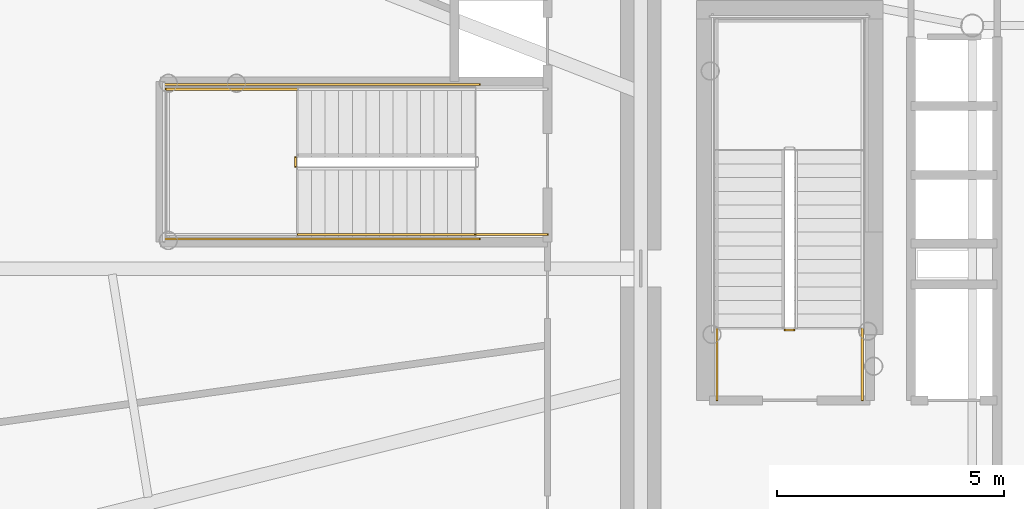
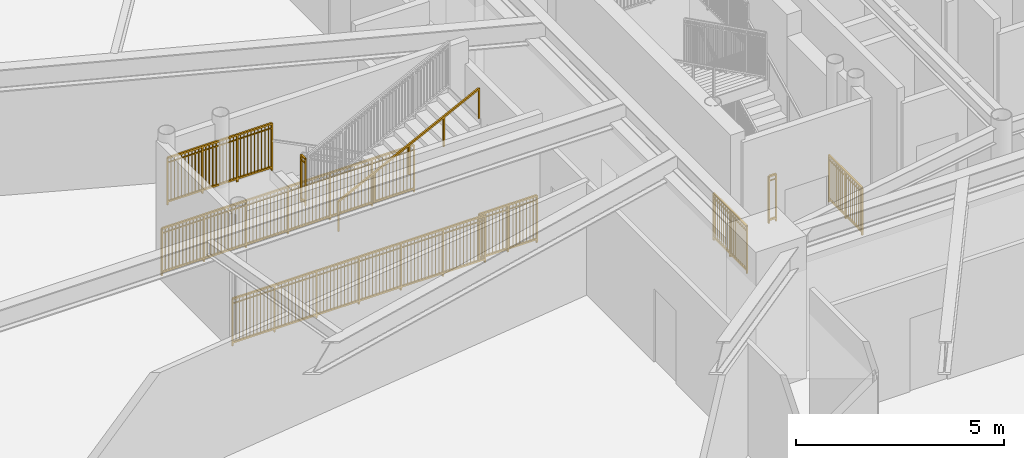
# One storey, part 22 of 32: 9 railings.
"""IFC4 building model written with IfcOpenShell, lengths in metres."""

import ifcopenshell
import ifcopenshell.guid

model = None  # the IFC model being written
_history = None  # IfcOwnerHistory: only IFC2X3 demands one
_inside = {}  # id of a spatial element -> (the spatial element, [elements in it])
_under = {}  # id of a project, library or spatial element -> (it, [spatial elements below it])
_declared = {}  # id of a project -> (the project, [libraries it declares])
_typed = {}  # id of a type object -> (the type object, [elements of that type])
_made_of = {}  # id of a material, layer set ... -> (it, [elements and type objects made of it])


def new_model(schema):
    """Start an empty IFC model of exactly this schema.

    Asked for "IFC4X3", IfcOpenShell would pick the latest addendum, in which some entities
    have other attributes; the version numbers below select the first issue.
    IFC2X3 requires an IfcOwnerHistory on every rooted entity: one is made here for all.
    """
    global model, _history
    if schema == "IFC4X3":
        model = ifcopenshell.file(schema_version=(4, 3, 0, 0))
    else:
        model = ifcopenshell.file(schema=schema)
    _inside.clear()
    _under.clear()
    _declared.clear()
    _typed.clear()
    _made_of.clear()
    _history = None
    if model.schema == "IFC2X3":
        org = make("IfcOrganization", Name="unknown")
        user = make(
            "IfcPersonAndOrganization",
            ThePerson=make("IfcPerson", FamilyName="unknown"),
            TheOrganization=org,
        )
        app = make(
            "IfcApplication",
            ApplicationDeveloper=org,
            Version="unknown",
            ApplicationFullName="unknown",
            ApplicationIdentifier="unknown",
        )
        _history = make(
            "IfcOwnerHistory",
            OwningUser=user,
            OwningApplication=app,
            ChangeAction="ADDED",
            CreationDate=0,
        )
    return model


def make(cls, **values):
    """One entity of the class cls with the attributes given. An attribute that is None is left unset."""
    return model.create_entity(
        cls, **{name: value for name, value in values.items() if value is not None}
    )


def rooted(cls, **values):
    """An entity with a GlobalId (a new one), such as an element, a storey or a relation."""
    return make(cls, GlobalId=ifcopenshell.guid.new(), OwnerHistory=_history, **values)


def si_unit(unit_type, name, prefix=None):
    """IfcSIUnit, for example si_unit("LENGTHUNIT", "METRE", prefix="MILLI")."""
    return make("IfcSIUnit", UnitType=unit_type, Prefix=prefix, Name=name)


def assignment(units):
    """IfcUnitAssignment: the units of a project."""
    return None if units is None else make("IfcUnitAssignment", Units=units)


def point(xyz):
    """IfcCartesianPoint."""
    return None if xyz is None else make("IfcCartesianPoint", Coordinates=xyz)


def direction(xyz):
    """IfcDirection."""
    return None if xyz is None else make("IfcDirection", DirectionRatios=xyz)


def frame(location, z_axis=None, x_axis=None):
    """IfcAxis2Placement3D, a coordinate frame: its origin and axes. An axis left out is left unset."""
    return make(
        "IfcAxis2Placement3D",
        Location=point(location),
        Axis=direction(z_axis),
        RefDirection=direction(x_axis),
    )


def frame_2d(location, x_axis=None):
    """IfcAxis2Placement2D, a coordinate frame in the plane: its origin and x axis."""
    return make(
        "IfcAxis2Placement2D", Location=point(location), RefDirection=direction(x_axis)
    )


def origin():
    """The frame at (0, 0, 0) with its axes left unset."""
    return frame((0.0, 0.0, 0.0))


def origin_2d():
    """The frame at (0, 0) in the plane with its x axis left unset."""
    return frame_2d((0.0, 0.0))


def place(relative_to, where):
    """IfcLocalPlacement: puts the frame where relative to a parent placement (None: the world)."""
    return make(
        "IfcLocalPlacement", PlacementRelTo=relative_to, RelativePlacement=where
    )


def context(
    kind, dimensions, precision=None, world=None, true_north=None, identifier=None
):
    """IfcGeometricRepresentationContext, for example the 3D "Model" context."""
    return make(
        "IfcGeometricRepresentationContext",
        ContextIdentifier=identifier,
        ContextType=kind,
        CoordinateSpaceDimension=dimensions,
        Precision=precision,
        WorldCoordinateSystem=world,
        TrueNorth=true_north,
    )


def subcontext(parent, identifier, kind, view, scale=None):
    """IfcGeometricRepresentationSubContext, for example "Body" below "Model"."""
    return make(
        "IfcGeometricRepresentationSubContext",
        ContextIdentifier=identifier,
        ContextType=kind,
        ParentContext=parent,
        TargetScale=scale,
        TargetView=view,
    )


def project(units=None, contexts=None):
    """IfcProject with its units and contexts."""
    return rooted(
        "IfcProject",
        Name="project",
        RepresentationContexts=contexts,
        UnitsInContext=assignment(units),
    )


def spatial(cls, under=None, at=None, **own):
    """A site, building, storey or space (cls), placed at a placement, below another one or the project."""
    s = rooted(cls, ObjectPlacement=at, **own)
    if under is not None:
        _under.setdefault(under.id(), (under, []))[1].append(s)
    return s


def profile(cls, at=None, kind="AREA", **sizes):
    """A parametric profile (cls). Its sizes go by their IFC names, for example OverallWidth=200.0."""
    return make(cls, ProfileType=kind, Position=at, **sizes)


def rectangle(**sizes):
    """IfcRectangleProfileDef."""
    return profile("IfcRectangleProfileDef", **sizes)


def extrude(swept, where, along, depth):
    """IfcExtrudedAreaSolid: the profile swept, set in the frame where, extruded along a direction by depth."""
    return make(
        "IfcExtrudedAreaSolid",
        SweptArea=swept,
        Position=where,
        ExtrudedDirection=direction(along),
        Depth=depth,
    )


def shape(context_of_items, identifier, shape_type, items):
    """IfcShapeRepresentation: the items that make up one representation, for example the "Body"."""
    return make(
        "IfcShapeRepresentation",
        ContextOfItems=context_of_items,
        RepresentationIdentifier=identifier,
        RepresentationType=shape_type,
        Items=items,
    )


def source(mapping_origin, context_of_items, identifier, shape_type, items):
    """IfcRepresentationMap: a shape defined once, which mapped items show again and again."""
    return make(
        "IfcRepresentationMap",
        MappingOrigin=mapping_origin,
        MappedRepresentation=shape(context_of_items, identifier, shape_type, items),
    )


def transform(
    local_origin,
    x_axis=None,
    y_axis=None,
    z_axis=None,
    scale=None,
    scale2=None,
    scale3=None,
    uniform=True,
):
    """IfcCartesianTransformationOperator3D, or its non-uniform kind. x_axis, y_axis, z_axis: its Axis1, 2, 3."""
    if uniform:
        return make(
            "IfcCartesianTransformationOperator3D",
            Axis1=direction(x_axis),
            Axis2=direction(y_axis),
            LocalOrigin=point(local_origin),
            Scale=scale,
            Axis3=direction(z_axis),
        )
    return make(
        "IfcCartesianTransformationOperator3DnonUniform",
        Axis1=direction(x_axis),
        Axis2=direction(y_axis),
        LocalOrigin=point(local_origin),
        Scale=scale,
        Axis3=direction(z_axis),
        Scale2=scale2,
        Scale3=scale3,
    )


def mapped(mapping_source, mapping_target):
    """IfcMappedItem: shows the shape of a source again, moved by a transform."""
    return make(
        "IfcMappedItem", MappingSource=mapping_source, MappingTarget=mapping_target
    )


def material(Name=None, Category=None):
    """IfcMaterial."""
    return make("IfcMaterial", Name=Name, Category=Category)


def made_of(thing, what):
    """Note that an element or type object is made of a material, layer set ...; save() writes the relation."""
    if what is not None:
        _made_of.setdefault(what.id(), (what, []))[1].append(thing)
    return thing


def type_object(cls, material=None, **own):
    """A type object (cls), such as IfcWallType, which elements share."""
    return made_of(rooted(cls, **own), material)


def element(
    cls,
    number,
    at=None,
    inside=None,
    cuts=None,
    type_object=None,
    material=None,
    context=None,
    identifier="Body",
    shape_type=None,
    held_by="IfcProductDefinitionShape",
    body=None,
    shapes=None,
    **own,
):
    """One element of the class cls, such as IfcWall. Its Tag is "e" and its number.

    at: its placement. inside: the storey or other place that contains it. cuts: it is an
    opening in that element (IfcRelVoidsElement). A single representation is given by context,
    identifier, shape_type and body (its items); several are given by shapes. held_by: the class
    of the entity that holds the representations. save() writes the other relations.
    """
    e = rooted(cls, Tag="e%d" % number, ObjectPlacement=at, **own)
    if body is not None:
        shapes = [shape(context, identifier, shape_type, body)]
    if shapes is not None:
        e.Representation = make(held_by, Representations=shapes)
    if inside is not None:
        _inside.setdefault(inside.id(), (inside, []))[1].append(e)
    if cuts is not None:
        rooted(
            "IfcRelVoidsElement", RelatingBuildingElement=cuts, RelatedOpeningElement=e
        )
    if type_object is not None:
        _typed.setdefault(type_object.id(), (type_object, []))[1].append(e)
    return made_of(e, material)


def aggregate(whole, parts):
    """IfcRelAggregates: a whole, such as a stair, and the parts it consists of."""
    return rooted("IfcRelAggregates", RelatingObject=whole, RelatedObjects=parts)


def save(model, path):
    """Write the relations noted so far, then the file.

    IfcRelAggregates (storeys below a building ...), IfcRelContainedInSpatialStructure (elements
    in a storey), IfcRelDefinesByType, IfcRelAssociatesMaterial and IfcRelDeclares: one each for
    every whole, place, type object, material and project.
    """
    for whole, parts in _under.values():
        aggregate(whole, parts)
    for where, things in _inside.values():
        rooted(
            "IfcRelContainedInSpatialStructure",
            RelatedElements=things,
            RelatingStructure=where,
        )
    for kind, things in _typed.values():
        rooted("IfcRelDefinesByType", RelatedObjects=things, RelatingType=kind)
    for what, things in _made_of.values():
        rooted("IfcRelAssociatesMaterial", RelatedObjects=things, RelatingMaterial=what)
    for by, libraries in _declared.values():
        rooted("IfcRelDeclares", RelatingContext=by, RelatedDefinitions=libraries)
    model.write(path)


model = new_model("IFC4")

# Units and contexts
model_context = context("Model", 3, precision=1e-05, world=origin(), true_north=direction((0.0, 1.0)))
body_context = subcontext(model_context, "Body", "Model", "MODEL_VIEW")
ifc_project = project(units=[si_unit("LENGTHUNIT", "METRE"), si_unit("AREAUNIT", "SQUARE_METRE"), si_unit("VOLUMEUNIT", "CUBIC_METRE"), si_unit("PLANEANGLEUNIT", "RADIAN"), si_unit("MASSUNIT", "GRAM", prefix="KILO")], contexts=[model_context])

# Site, building, storey
site_placement = place(None, origin())
site = spatial("IfcSite", under=ifc_project, at=site_placement, CompositionType="ELEMENT")
building_placement = place(site_placement, origin())
building = spatial("IfcBuilding", under=site, at=building_placement, Name="Linh Dai School and Residence Tower", CompositionType="ELEMENT")
storey_placement = place(building_placement, frame((0.0, 0.0, 40.800048828125)))
storey = spatial("IfcBuildingStorey", under=building, at=storey_placement, Name="L09", CompositionType="ELEMENT", Elevation=40.800048828125)

# Railings
ifc_material_1 = material(Name="Structural Steel S355JR", Category="steel")
railing_type_1 = type_object("IfcRailingType", Name="RL-ST-GUARD-1400", PredefinedType="GUARDRAIL", material=ifc_material_1)
shared_shape_1 = source(origin(), body_context, "Body", "SweptSolid", [
    extrude(rectangle(XDim=0.048095703125, YDim=0.048095703125, at=origin_2d()), frame((0.0, 0.0, 1.3759765625), z_axis=(-1.0, 0.0, 0.0), x_axis=(0.0, -1.0, 0.0)), (0.0, 0.0, 1.0), 0.199951171875),
    extrude(rectangle(XDim=0.048095703125, YDim=0.048095703125, at=origin_2d()), frame((0.0, 0.0, 0.10009765625), z_axis=(-1.0, 0.0, 0.0), x_axis=(0.0, -1.0, 0.0)), (0.0, 0.0, 1.0), 0.199951171875),
    extrude(rectangle(XDim=0.030029296875, YDim=0.030029296875, at=origin_2d()), frame((0.0, 0.0, 1.239990234375), z_axis=(-1.0, 0.0, 0.0), x_axis=(0.0, -1.0, 0.0)), (0.0, 0.0, 1.0), 0.199951171875),
    extrude(rectangle(XDim=0.0419921875, YDim=0.0419921875, at=origin_2d()), origin(), (0.0, 0.0, 1.0), 1.3759765625),
    extrude(rectangle(XDim=0.0419921875, YDim=0.0419921875, at=origin_2d()), frame((-0.199951171875, 0.0, 0.0)), (0.0, 0.0, 1.0), 1.3759765625),
])
railing_1_placement = place(storey_placement, frame((29.429931640625, 25.64990234375, 0.0)))
element("IfcRailing", 1, at=railing_1_placement, inside=storey, type_object=railing_type_1, Name="L09 ST1 stair guard 7", PredefinedType="GUARDRAIL", context=body_context, shape_type="MappedRepresentation", body=[
    mapped(shared_shape_1, transform((0.0, 0.0, 0.0), x_axis=(1.0, 0.0, 0.0), y_axis=(0.0, 1.0, 0.0), z_axis=(0.0, 0.0, 1.0), scale=1.0)),
])
shared_shape_2 = source(origin(), body_context, "Body", "SweptSolid", [
    extrude(rectangle(XDim=0.048095703125, YDim=0.048095703125, at=origin_2d()), frame((0.0, 0.0, 1.3759765625), z_axis=(0.0, 1.0, 0.0), x_axis=(-1.0, 0.0, 0.0)), (0.0, 0.0, 1.0), 1.599853515625),
    extrude(rectangle(XDim=0.048095703125, YDim=0.048095703125, at=origin_2d()), frame((0.0, 0.0, 0.10009765625), z_axis=(0.0, 1.0, 0.0), x_axis=(-1.0, 0.0, 0.0)), (0.0, 0.0, 1.0), 1.599853515625),
    extrude(rectangle(XDim=0.030029296875, YDim=0.030029296875, at=origin_2d()), frame((0.0, 0.0, 1.239990234375), z_axis=(0.0, 1.0, 0.0), x_axis=(-1.0, 0.0, 0.0)), (0.0, 0.0, 1.0), 1.599853515625),
    extrude(rectangle(XDim=0.02001953125, YDim=0.02001953125, at=origin_2d()), frame((0.0, 0.093994140625, 0.10009765625)), (0.0, 0.0, 1.0), 1.251708984375),
    extrude(rectangle(XDim=0.02001953125, YDim=0.02001953125, at=origin_2d()), frame((0.0, 0.188232421875, 0.10009765625)), (0.0, 0.0, 1.0), 1.251708984375),
    extrude(rectangle(XDim=0.02001953125, YDim=0.02001953125, at=origin_2d()), frame((0.0, 0.2822265625, 0.10009765625)), (0.0, 0.0, 1.0), 1.251708984375),
    extrude(rectangle(XDim=0.02001953125, YDim=0.02001953125, at=origin_2d()), frame((0.0, 0.37646484375, 0.10009765625)), (0.0, 0.0, 1.0), 1.251708984375),
    extrude(rectangle(XDim=0.02001953125, YDim=0.02001953125, at=origin_2d()), frame((0.0, 0.470458984375, 0.10009765625)), (0.0, 0.0, 1.0), 1.251708984375),
    extrude(rectangle(XDim=0.02001953125, YDim=0.02001953125, at=origin_2d()), frame((0.0, 0.564697265625, 0.10009765625)), (0.0, 0.0, 1.0), 1.251708984375),
    extrude(rectangle(XDim=0.02001953125, YDim=0.02001953125, at=origin_2d()), frame((0.0, 0.65869140625, 0.10009765625)), (0.0, 0.0, 1.0), 1.251708984375),
    extrude(rectangle(XDim=0.02001953125, YDim=0.02001953125, at=origin_2d()), frame((0.0, 0.7529296875, 0.10009765625)), (0.0, 0.0, 1.0), 1.251708984375),
    extrude(rectangle(XDim=0.02001953125, YDim=0.02001953125, at=origin_2d()), frame((0.0, 0.846923828125, 0.10009765625)), (0.0, 0.0, 1.0), 1.251708984375),
    extrude(rectangle(XDim=0.02001953125, YDim=0.02001953125, at=origin_2d()), frame((0.0, 0.941162109375, 0.10009765625)), (0.0, 0.0, 1.0), 1.251708984375),
    extrude(rectangle(XDim=0.02001953125, YDim=0.02001953125, at=origin_2d()), frame((0.0, 1.03515625, 0.10009765625)), (0.0, 0.0, 1.0), 1.251708984375),
    extrude(rectangle(XDim=0.02001953125, YDim=0.02001953125, at=origin_2d()), frame((0.0, 1.12939453125, 0.10009765625)), (0.0, 0.0, 1.0), 1.251708984375),
    extrude(rectangle(XDim=0.02001953125, YDim=0.02001953125, at=origin_2d()), frame((0.0, 1.223388671875, 0.10009765625)), (0.0, 0.0, 1.0), 1.251708984375),
    extrude(rectangle(XDim=0.02001953125, YDim=0.02001953125, at=origin_2d()), frame((0.0, 1.317626953125, 0.10009765625)), (0.0, 0.0, 1.0), 1.251708984375),
    extrude(rectangle(XDim=0.02001953125, YDim=0.02001953125, at=origin_2d()), frame((0.0, 1.41162109375, 0.10009765625)), (0.0, 0.0, 1.0), 1.251708984375),
    extrude(rectangle(XDim=0.02001953125, YDim=0.02001953125, at=origin_2d()), frame((0.0, 1.505859375, 0.10009765625)), (0.0, 0.0, 1.0), 1.251708984375),
    extrude(rectangle(XDim=0.0419921875, YDim=0.0419921875, at=origin_2d()), origin(), (0.0, 0.0, 1.0), 1.3759765625),
    extrude(rectangle(XDim=0.0419921875, YDim=0.0419921875, at=origin_2d()), frame((0.0, 0.7998046875, 0.0)), (0.0, 0.0, 1.0), 1.3759765625),
    extrude(rectangle(XDim=0.0419921875, YDim=0.0419921875, at=origin_2d()), frame((0.0, 1.599853515625, 0.0)), (0.0, 0.0, 1.0), 1.3759765625),
])
for number, where, name in (
    (2, (30.929931640625, 24.10009765625, 0.0), "L09 ST1 stair guard 8"),
    (3, (27.72998046875, 24.10009765625, 0.0), "L09 ST1 stair guard 9"),
):
    element("IfcRailing", number, at=place(storey_placement, frame(where)), inside=storey, type_object=railing_type_1, Name=name, PredefinedType="GUARDRAIL", context=body_context, shape_type="MappedRepresentation", body=[
        mapped(shared_shape_2, transform((0.0, 0.0, 0.0), x_axis=(1.0, 0.0, 0.0), y_axis=(0.0, 1.0, 0.0), z_axis=(0.0, 0.0, 1.0), scale=1.0)),
    ])
shared_shape_3 = source(origin(), body_context, "Body", "SweptSolid", [
    extrude(rectangle(XDim=0.048095703125, YDim=0.048095703125, at=origin_2d()), frame((0.0, 0.0, 1.3759765625), z_axis=(0.0, -1.0, 0.0), x_axis=(1.0, 0.0, 0.0)), (0.0, 0.0, 1.0), 0.199951171875),
    extrude(rectangle(XDim=0.048095703125, YDim=0.048095703125, at=origin_2d()), frame((0.0, 0.0, 0.10009765625), z_axis=(0.0, -1.0, 0.0), x_axis=(1.0, 0.0, 0.0)), (0.0, 0.0, 1.0), 0.199951171875),
    extrude(rectangle(XDim=0.030029296875, YDim=0.030029296875, at=origin_2d()), frame((0.0, 0.0, 1.239990234375), z_axis=(0.0, -1.0, 0.0), x_axis=(1.0, 0.0, 0.0)), (0.0, 0.0, 1.0), 0.199951171875),
    extrude(rectangle(XDim=0.0419921875, YDim=0.0419921875, at=origin_2d()), origin(), (0.0, 0.0, 1.0), 1.3759765625),
    extrude(rectangle(XDim=0.0419921875, YDim=0.0419921875, at=origin_2d()), frame((0.0, -0.199951171875, 0.0)), (0.0, 0.0, 1.0), 1.3759765625),
])
railing_2_placement = place(storey_placement, frame((18.449951171875, 29.449951171875, 2.099853515625)))
element("IfcRailing", 4, at=railing_2_placement, inside=storey, type_object=railing_type_1, Name="L09 STS1 stair guard 2", PredefinedType="GUARDRAIL", context=body_context, shape_type="MappedRepresentation", body=[
    mapped(shared_shape_3, transform((0.0, 0.0, 0.0), x_axis=(1.0, 0.0, 0.0), y_axis=(0.0, 1.0, 0.0), z_axis=(0.0, 0.0, 1.0), scale=1.0)),
])
shared_shape_4 = source(origin(), body_context, "Body", "SweptSolid", [
    extrude(rectangle(XDim=0.048095703125, YDim=0.048095703125, at=origin_2d()), frame((0.0, 0.0, 1.3759765625), z_axis=(-1.0, 0.0, 0.0), x_axis=(0.0, -1.0, 0.0)), (0.0, 0.0, 1.0), 1.60009765625),
    extrude(rectangle(XDim=0.048095703125, YDim=0.048095703125, at=origin_2d()), frame((0.0, 0.0, 0.10009765625), z_axis=(-1.0, 0.0, 0.0), x_axis=(0.0, -1.0, 0.0)), (0.0, 0.0, 1.0), 1.60009765625),
    extrude(rectangle(XDim=0.030029296875, YDim=0.030029296875, at=origin_2d()), frame((0.0, 0.0, 1.239990234375), z_axis=(-1.0, 0.0, 0.0), x_axis=(0.0, -1.0, 0.0)), (0.0, 0.0, 1.0), 1.60009765625),
    extrude(rectangle(XDim=0.02001953125, YDim=0.02001953125, at=origin_2d()), frame((-0.09423828125, 0.0, 0.10009765625)), (0.0, 0.0, 1.0), 1.251708984375),
    extrude(rectangle(XDim=0.02001953125, YDim=0.02001953125, at=origin_2d()), frame((-0.188232421875, 0.0, 0.10009765625)), (0.0, 0.0, 1.0), 1.251708984375),
    extrude(rectangle(XDim=0.02001953125, YDim=0.02001953125, at=origin_2d()), frame((-0.282470703125, 0.0, 0.10009765625)), (0.0, 0.0, 1.0), 1.251708984375),
    extrude(rectangle(XDim=0.02001953125, YDim=0.02001953125, at=origin_2d()), frame((-0.37646484375, 0.0, 0.10009765625)), (0.0, 0.0, 1.0), 1.251708984375),
    extrude(rectangle(XDim=0.02001953125, YDim=0.02001953125, at=origin_2d()), frame((-0.470703125, 0.0, 0.10009765625)), (0.0, 0.0, 1.0), 1.251708984375),
    extrude(rectangle(XDim=0.02001953125, YDim=0.02001953125, at=origin_2d()), frame((-0.564697265625, 0.0, 0.10009765625)), (0.0, 0.0, 1.0), 1.251708984375),
    extrude(rectangle(XDim=0.02001953125, YDim=0.02001953125, at=origin_2d()), frame((-0.658935546875, 0.0, 0.10009765625)), (0.0, 0.0, 1.0), 1.251708984375),
    extrude(rectangle(XDim=0.02001953125, YDim=0.02001953125, at=origin_2d()), frame((-0.7529296875, 0.0, 0.10009765625)), (0.0, 0.0, 1.0), 1.251708984375),
    extrude(rectangle(XDim=0.02001953125, YDim=0.02001953125, at=origin_2d()), frame((-0.84716796875, 0.0, 0.10009765625)), (0.0, 0.0, 1.0), 1.251708984375),
    extrude(rectangle(XDim=0.02001953125, YDim=0.02001953125, at=origin_2d()), frame((-0.941162109375, 0.0, 0.10009765625)), (0.0, 0.0, 1.0), 1.251708984375),
    extrude(rectangle(XDim=0.02001953125, YDim=0.02001953125, at=origin_2d()), frame((-1.035400390625, 0.0, 0.10009765625)), (0.0, 0.0, 1.0), 1.251708984375),
    extrude(rectangle(XDim=0.02001953125, YDim=0.02001953125, at=origin_2d()), frame((-1.12939453125, 0.0, 0.10009765625)), (0.0, 0.0, 1.0), 1.251708984375),
    extrude(rectangle(XDim=0.02001953125, YDim=0.02001953125, at=origin_2d()), frame((-1.2236328125, 0.0, 0.10009765625)), (0.0, 0.0, 1.0), 1.251708984375),
    extrude(rectangle(XDim=0.02001953125, YDim=0.02001953125, at=origin_2d()), frame((-1.317626953125, 0.0, 0.10009765625)), (0.0, 0.0, 1.0), 1.251708984375),
    extrude(rectangle(XDim=0.02001953125, YDim=0.02001953125, at=origin_2d()), frame((-1.411865234375, 0.0, 0.10009765625)), (0.0, 0.0, 1.0), 1.251708984375),
    extrude(rectangle(XDim=0.02001953125, YDim=0.02001953125, at=origin_2d()), frame((-1.505859375, 0.0, 0.10009765625)), (0.0, 0.0, 1.0), 1.251708984375),
    extrude(rectangle(XDim=0.0419921875, YDim=0.0419921875, at=origin_2d()), origin(), (0.0, 0.0, 1.0), 1.3759765625),
    extrude(rectangle(XDim=0.0419921875, YDim=0.0419921875, at=origin_2d()), frame((-0.800048828125, 0.0, 0.0)), (0.0, 0.0, 1.0), 1.3759765625),
    extrude(rectangle(XDim=0.0419921875, YDim=0.0419921875, at=origin_2d()), frame((-1.60009765625, 0.0, 0.0)), (0.0, 0.0, 1.0), 1.3759765625),
])
railing_3_placement = place(storey_placement, frame((24.0, 27.75, 0.0)))
element("IfcRailing", 5, at=railing_3_placement, inside=storey, type_object=railing_type_1, Name="L09 STS1 stair guard 9", PredefinedType="GUARDRAIL", context=body_context, shape_type="MappedRepresentation", body=[
    mapped(shared_shape_4, transform((0.0, 0.0, 0.0), x_axis=(1.0, 0.0, 0.0), y_axis=(0.0, 1.0, 0.0), z_axis=(0.0, 0.0, 1.0), scale=1.0)),
])
shared_shape_5 = source(origin(), body_context, "Body", "SweptSolid", [
    extrude(rectangle(XDim=0.048095703125, YDim=0.048095703125, at=origin_2d()), frame((0.0, 0.0, 1.3759765625), z_axis=(-1.0, 0.0, 0.0), x_axis=(0.0, -1.0, 0.0)), (0.0, 0.0, 1.0), 2.89990234375),
    extrude(rectangle(XDim=0.048095703125, YDim=0.048095703125, at=origin_2d()), frame((0.0, 0.0, 0.10009765625), z_axis=(-1.0, 0.0, 0.0), x_axis=(0.0, -1.0, 0.0)), (0.0, 0.0, 1.0), 2.89990234375),
    extrude(rectangle(XDim=0.030029296875, YDim=0.030029296875, at=origin_2d()), frame((0.0, 0.0, 1.239990234375), z_axis=(-1.0, 0.0, 0.0), x_axis=(0.0, -1.0, 0.0)), (0.0, 0.0, 1.0), 2.89990234375),
    extrude(rectangle(XDim=0.02001953125, YDim=0.02001953125, at=origin_2d()), frame((-0.0966796875, 0.0, 0.10009765625)), (0.0, 0.0, 1.0), 1.251708984375),
    extrude(rectangle(XDim=0.02001953125, YDim=0.02001953125, at=origin_2d()), frame((-0.193359375, 0.0, 0.10009765625)), (0.0, 0.0, 1.0), 1.251708984375),
    extrude(rectangle(XDim=0.02001953125, YDim=0.02001953125, at=origin_2d()), frame((-0.2900390625, 0.0, 0.10009765625)), (0.0, 0.0, 1.0), 1.251708984375),
    extrude(rectangle(XDim=0.02001953125, YDim=0.02001953125, at=origin_2d()), frame((-0.38671875, 0.0, 0.10009765625)), (0.0, 0.0, 1.0), 1.251708984375),
    extrude(rectangle(XDim=0.02001953125, YDim=0.02001953125, at=origin_2d()), frame((-0.4833984375, 0.0, 0.10009765625)), (0.0, 0.0, 1.0), 1.251708984375),
    extrude(rectangle(XDim=0.02001953125, YDim=0.02001953125, at=origin_2d()), frame((-0.580078125, 0.0, 0.10009765625)), (0.0, 0.0, 1.0), 1.251708984375),
    extrude(rectangle(XDim=0.02001953125, YDim=0.02001953125, at=origin_2d()), frame((-0.6767578125, 0.0, 0.10009765625)), (0.0, 0.0, 1.0), 1.251708984375),
    extrude(rectangle(XDim=0.02001953125, YDim=0.02001953125, at=origin_2d()), frame((-0.773193359375, 0.0, 0.10009765625)), (0.0, 0.0, 1.0), 1.251708984375),
    extrude(rectangle(XDim=0.02001953125, YDim=0.02001953125, at=origin_2d()), frame((-0.869873046875, 0.0, 0.10009765625)), (0.0, 0.0, 1.0), 1.251708984375),
    extrude(rectangle(XDim=0.02001953125, YDim=0.02001953125, at=origin_2d()), frame((-1.063232421875, 0.0, 0.10009765625)), (0.0, 0.0, 1.0), 1.251708984375),
    extrude(rectangle(XDim=0.02001953125, YDim=0.02001953125, at=origin_2d()), frame((-1.159912109375, 0.0, 0.10009765625)), (0.0, 0.0, 1.0), 1.251708984375),
    extrude(rectangle(XDim=0.02001953125, YDim=0.02001953125, at=origin_2d()), frame((-1.256591796875, 0.0, 0.10009765625)), (0.0, 0.0, 1.0), 1.251708984375),
    extrude(rectangle(XDim=0.02001953125, YDim=0.02001953125, at=origin_2d()), frame((-1.353271484375, 0.0, 0.10009765625)), (0.0, 0.0, 1.0), 1.251708984375),
    extrude(rectangle(XDim=0.02001953125, YDim=0.02001953125, at=origin_2d()), frame((-1.449951171875, 0.0, 0.10009765625)), (0.0, 0.0, 1.0), 1.251708984375),
    extrude(rectangle(XDim=0.02001953125, YDim=0.02001953125, at=origin_2d()), frame((-1.546630859375, 0.0, 0.10009765625)), (0.0, 0.0, 1.0), 1.251708984375),
    extrude(rectangle(XDim=0.02001953125, YDim=0.02001953125, at=origin_2d()), frame((-1.643310546875, 0.0, 0.10009765625)), (0.0, 0.0, 1.0), 1.251708984375),
    extrude(rectangle(XDim=0.02001953125, YDim=0.02001953125, at=origin_2d()), frame((-1.739990234375, 0.0, 0.10009765625)), (0.0, 0.0, 1.0), 1.251708984375),
    extrude(rectangle(XDim=0.02001953125, YDim=0.02001953125, at=origin_2d()), frame((-1.836669921875, 0.0, 0.10009765625)), (0.0, 0.0, 1.0), 1.251708984375),
    extrude(rectangle(XDim=0.02001953125, YDim=0.02001953125, at=origin_2d()), frame((-2.030029296875, 0.0, 0.10009765625)), (0.0, 0.0, 1.0), 1.251708984375),
    extrude(rectangle(XDim=0.02001953125, YDim=0.02001953125, at=origin_2d()), frame((-2.126708984375, 0.0, 0.10009765625)), (0.0, 0.0, 1.0), 1.251708984375),
    extrude(rectangle(XDim=0.02001953125, YDim=0.02001953125, at=origin_2d()), frame((-2.22314453125, 0.0, 0.10009765625)), (0.0, 0.0, 1.0), 1.251708984375),
    extrude(rectangle(XDim=0.02001953125, YDim=0.02001953125, at=origin_2d()), frame((-2.31982421875, 0.0, 0.10009765625)), (0.0, 0.0, 1.0), 1.251708984375),
    extrude(rectangle(XDim=0.02001953125, YDim=0.02001953125, at=origin_2d()), frame((-2.41650390625, 0.0, 0.10009765625)), (0.0, 0.0, 1.0), 1.251708984375),
    extrude(rectangle(XDim=0.02001953125, YDim=0.02001953125, at=origin_2d()), frame((-2.51318359375, 0.0, 0.10009765625)), (0.0, 0.0, 1.0), 1.251708984375),
    extrude(rectangle(XDim=0.02001953125, YDim=0.02001953125, at=origin_2d()), frame((-2.60986328125, 0.0, 0.10009765625)), (0.0, 0.0, 1.0), 1.251708984375),
    extrude(rectangle(XDim=0.02001953125, YDim=0.02001953125, at=origin_2d()), frame((-2.70654296875, 0.0, 0.10009765625)), (0.0, 0.0, 1.0), 1.251708984375),
    extrude(rectangle(XDim=0.02001953125, YDim=0.02001953125, at=origin_2d()), frame((-2.80322265625, 0.0, 0.10009765625)), (0.0, 0.0, 1.0), 1.251708984375),
    extrude(rectangle(XDim=0.0419921875, YDim=0.0419921875, at=origin_2d()), origin(), (0.0, 0.0, 1.0), 1.3759765625),
    extrude(rectangle(XDim=0.0419921875, YDim=0.0419921875, at=origin_2d()), frame((-0.966552734375, 0.0, 0.0)), (0.0, 0.0, 1.0), 1.3759765625),
    extrude(rectangle(XDim=0.0419921875, YDim=0.0419921875, at=origin_2d()), frame((-1.933349609375, 0.0, 0.0)), (0.0, 0.0, 1.0), 1.3759765625),
    extrude(rectangle(XDim=0.0419921875, YDim=0.0419921875, at=origin_2d()), frame((-2.89990234375, 0.0, 0.0)), (0.0, 0.0, 1.0), 1.3759765625),
])
railing_4_placement = place(storey_placement, frame((18.5, 30.949951171875, 2.099853515625)))
element("IfcRailing", 6, at=railing_4_placement, inside=storey, type_object=railing_type_1, Name="L09 STS1 stair guard 3", PredefinedType="GUARDRAIL", context=body_context, shape_type="MappedRepresentation", body=[
    mapped(shared_shape_5, transform((0.0, 0.0, 0.0), x_axis=(1.0, 0.0, 0.0), y_axis=(0.0, 1.0, 0.0), z_axis=(0.0, 0.0, 1.0), scale=1.0)),
])
shared_shape_6 = source(origin(), body_context, "Body", "SweptSolid", [
    extrude(rectangle(XDim=0.048095703125, YDim=0.048095703125, at=origin_2d()), frame((0.0, 0.0, 1.3759765625), z_axis=(-1.0, 0.0, 0.0), x_axis=(0.0, -1.0, 0.0)), (0.0, 0.0, 1.0), 7.0),
    extrude(rectangle(XDim=0.048095703125, YDim=0.048095703125, at=origin_2d()), frame((0.0, 0.0, 0.10009765625), z_axis=(-1.0, 0.0, 0.0), x_axis=(0.0, -1.0, 0.0)), (0.0, 0.0, 1.0), 7.0),
    extrude(rectangle(XDim=0.030029296875, YDim=0.030029296875, at=origin_2d()), frame((0.0, 0.0, 1.239990234375), z_axis=(-1.0, 0.0, 0.0), x_axis=(0.0, -1.0, 0.0)), (0.0, 0.0, 1.0), 7.0),
    extrude(rectangle(XDim=0.02001953125, YDim=0.02001953125, at=origin_2d()), frame((-0.09716796875, 0.0, 0.10009765625)), (0.0, 0.0, 1.0), 1.251708984375),
    extrude(rectangle(XDim=0.02001953125, YDim=0.02001953125, at=origin_2d()), frame((-0.1943359375, 0.0, 0.10009765625)), (0.0, 0.0, 1.0), 1.251708984375),
    extrude(rectangle(XDim=0.02001953125, YDim=0.02001953125, at=origin_2d()), frame((-0.291748046875, 0.0, 0.10009765625)), (0.0, 0.0, 1.0), 1.251708984375),
    extrude(rectangle(XDim=0.02001953125, YDim=0.02001953125, at=origin_2d()), frame((-0.388916015625, 0.0, 0.10009765625)), (0.0, 0.0, 1.0), 1.251708984375),
    extrude(rectangle(XDim=0.02001953125, YDim=0.02001953125, at=origin_2d()), frame((-0.486083984375, 0.0, 0.10009765625)), (0.0, 0.0, 1.0), 1.251708984375),
    extrude(rectangle(XDim=0.02001953125, YDim=0.02001953125, at=origin_2d()), frame((-0.583251953125, 0.0, 0.10009765625)), (0.0, 0.0, 1.0), 1.251708984375),
    extrude(rectangle(XDim=0.02001953125, YDim=0.02001953125, at=origin_2d()), frame((-0.6806640625, 0.0, 0.10009765625)), (0.0, 0.0, 1.0), 1.251708984375),
    extrude(rectangle(XDim=0.02001953125, YDim=0.02001953125, at=origin_2d()), frame((-0.77783203125, 0.0, 0.10009765625)), (0.0, 0.0, 1.0), 1.251708984375),
    extrude(rectangle(XDim=0.02001953125, YDim=0.02001953125, at=origin_2d()), frame((-0.875, 0.0, 0.10009765625)), (0.0, 0.0, 1.0), 1.251708984375),
    extrude(rectangle(XDim=0.02001953125, YDim=0.02001953125, at=origin_2d()), frame((-0.97216796875, 0.0, 0.10009765625)), (0.0, 0.0, 1.0), 1.251708984375),
    extrude(rectangle(XDim=0.02001953125, YDim=0.02001953125, at=origin_2d()), frame((-1.0693359375, 0.0, 0.10009765625)), (0.0, 0.0, 1.0), 1.251708984375),
    extrude(rectangle(XDim=0.02001953125, YDim=0.02001953125, at=origin_2d()), frame((-1.263916015625, 0.0, 0.10009765625)), (0.0, 0.0, 1.0), 1.251708984375),
    extrude(rectangle(XDim=0.02001953125, YDim=0.02001953125, at=origin_2d()), frame((-1.361083984375, 0.0, 0.10009765625)), (0.0, 0.0, 1.0), 1.251708984375),
    extrude(rectangle(XDim=0.02001953125, YDim=0.02001953125, at=origin_2d()), frame((-1.458251953125, 0.0, 0.10009765625)), (0.0, 0.0, 1.0), 1.251708984375),
    extrude(rectangle(XDim=0.02001953125, YDim=0.02001953125, at=origin_2d()), frame((-1.5556640625, 0.0, 0.10009765625)), (0.0, 0.0, 1.0), 1.251708984375),
    extrude(rectangle(XDim=0.02001953125, YDim=0.02001953125, at=origin_2d()), frame((-1.65283203125, 0.0, 0.10009765625)), (0.0, 0.0, 1.0), 1.251708984375),
    extrude(rectangle(XDim=0.02001953125, YDim=0.02001953125, at=origin_2d()), frame((-1.75, 0.0, 0.10009765625)), (0.0, 0.0, 1.0), 1.251708984375),
    extrude(rectangle(XDim=0.02001953125, YDim=0.02001953125, at=origin_2d()), frame((-1.84716796875, 0.0, 0.10009765625)), (0.0, 0.0, 1.0), 1.251708984375),
    extrude(rectangle(XDim=0.02001953125, YDim=0.02001953125, at=origin_2d()), frame((-1.9443359375, 0.0, 0.10009765625)), (0.0, 0.0, 1.0), 1.251708984375),
    extrude(rectangle(XDim=0.02001953125, YDim=0.02001953125, at=origin_2d()), frame((-2.041748046875, 0.0, 0.10009765625)), (0.0, 0.0, 1.0), 1.251708984375),
    extrude(rectangle(XDim=0.02001953125, YDim=0.02001953125, at=origin_2d()), frame((-2.138916015625, 0.0, 0.10009765625)), (0.0, 0.0, 1.0), 1.251708984375),
    extrude(rectangle(XDim=0.02001953125, YDim=0.02001953125, at=origin_2d()), frame((-2.236083984375, 0.0, 0.10009765625)), (0.0, 0.0, 1.0), 1.251708984375),
    extrude(rectangle(XDim=0.02001953125, YDim=0.02001953125, at=origin_2d()), frame((-2.4306640625, 0.0, 0.10009765625)), (0.0, 0.0, 1.0), 1.251708984375),
    extrude(rectangle(XDim=0.02001953125, YDim=0.02001953125, at=origin_2d()), frame((-2.52783203125, 0.0, 0.10009765625)), (0.0, 0.0, 1.0), 1.251708984375),
    extrude(rectangle(XDim=0.02001953125, YDim=0.02001953125, at=origin_2d()), frame((-2.625, 0.0, 0.10009765625)), (0.0, 0.0, 1.0), 1.251708984375),
    extrude(rectangle(XDim=0.02001953125, YDim=0.02001953125, at=origin_2d()), frame((-2.72216796875, 0.0, 0.10009765625)), (0.0, 0.0, 1.0), 1.251708984375),
    extrude(rectangle(XDim=0.02001953125, YDim=0.02001953125, at=origin_2d()), frame((-2.8193359375, 0.0, 0.10009765625)), (0.0, 0.0, 1.0), 1.251708984375),
    extrude(rectangle(XDim=0.02001953125, YDim=0.02001953125, at=origin_2d()), frame((-2.916748046875, 0.0, 0.10009765625)), (0.0, 0.0, 1.0), 1.251708984375),
    extrude(rectangle(XDim=0.02001953125, YDim=0.02001953125, at=origin_2d()), frame((-3.013916015625, 0.0, 0.10009765625)), (0.0, 0.0, 1.0), 1.251708984375),
    extrude(rectangle(XDim=0.02001953125, YDim=0.02001953125, at=origin_2d()), frame((-3.111083984375, 0.0, 0.10009765625)), (0.0, 0.0, 1.0), 1.251708984375),
    extrude(rectangle(XDim=0.02001953125, YDim=0.02001953125, at=origin_2d()), frame((-3.208251953125, 0.0, 0.10009765625)), (0.0, 0.0, 1.0), 1.251708984375),
    extrude(rectangle(XDim=0.02001953125, YDim=0.02001953125, at=origin_2d()), frame((-3.3056640625, 0.0, 0.10009765625)), (0.0, 0.0, 1.0), 1.251708984375),
    extrude(rectangle(XDim=0.02001953125, YDim=0.02001953125, at=origin_2d()), frame((-3.40283203125, 0.0, 0.10009765625)), (0.0, 0.0, 1.0), 1.251708984375),
    extrude(rectangle(XDim=0.02001953125, YDim=0.02001953125, at=origin_2d()), frame((-3.59716796875, 0.0, 0.10009765625)), (0.0, 0.0, 1.0), 1.251708984375),
    extrude(rectangle(XDim=0.02001953125, YDim=0.02001953125, at=origin_2d()), frame((-3.6943359375, 0.0, 0.10009765625)), (0.0, 0.0, 1.0), 1.251708984375),
    extrude(rectangle(XDim=0.02001953125, YDim=0.02001953125, at=origin_2d()), frame((-3.791748046875, 0.0, 0.10009765625)), (0.0, 0.0, 1.0), 1.251708984375),
    extrude(rectangle(XDim=0.02001953125, YDim=0.02001953125, at=origin_2d()), frame((-3.888916015625, 0.0, 0.10009765625)), (0.0, 0.0, 1.0), 1.251708984375),
    extrude(rectangle(XDim=0.02001953125, YDim=0.02001953125, at=origin_2d()), frame((-3.986083984375, 0.0, 0.10009765625)), (0.0, 0.0, 1.0), 1.251708984375),
    extrude(rectangle(XDim=0.02001953125, YDim=0.02001953125, at=origin_2d()), frame((-4.083251953125, 0.0, 0.10009765625)), (0.0, 0.0, 1.0), 1.251708984375),
    extrude(rectangle(XDim=0.02001953125, YDim=0.02001953125, at=origin_2d()), frame((-4.1806640625, 0.0, 0.10009765625)), (0.0, 0.0, 1.0), 1.251708984375),
    extrude(rectangle(XDim=0.02001953125, YDim=0.02001953125, at=origin_2d()), frame((-4.27783203125, 0.0, 0.10009765625)), (0.0, 0.0, 1.0), 1.251708984375),
    extrude(rectangle(XDim=0.02001953125, YDim=0.02001953125, at=origin_2d()), frame((-4.375, 0.0, 0.10009765625)), (0.0, 0.0, 1.0), 1.251708984375),
    extrude(rectangle(XDim=0.02001953125, YDim=0.02001953125, at=origin_2d()), frame((-4.47216796875, 0.0, 0.10009765625)), (0.0, 0.0, 1.0), 1.251708984375),
    extrude(rectangle(XDim=0.02001953125, YDim=0.02001953125, at=origin_2d()), frame((-4.5693359375, 0.0, 0.10009765625)), (0.0, 0.0, 1.0), 1.251708984375),
    extrude(rectangle(XDim=0.02001953125, YDim=0.02001953125, at=origin_2d()), frame((-4.763916015625, 0.0, 0.10009765625)), (0.0, 0.0, 1.0), 1.251708984375),
    extrude(rectangle(XDim=0.02001953125, YDim=0.02001953125, at=origin_2d()), frame((-4.861083984375, 0.0, 0.10009765625)), (0.0, 0.0, 1.0), 1.251708984375),
    extrude(rectangle(XDim=0.02001953125, YDim=0.02001953125, at=origin_2d()), frame((-4.958251953125, 0.0, 0.10009765625)), (0.0, 0.0, 1.0), 1.251708984375),
    extrude(rectangle(XDim=0.02001953125, YDim=0.02001953125, at=origin_2d()), frame((-5.0556640625, 0.0, 0.10009765625)), (0.0, 0.0, 1.0), 1.251708984375),
    extrude(rectangle(XDim=0.02001953125, YDim=0.02001953125, at=origin_2d()), frame((-5.15283203125, 0.0, 0.10009765625)), (0.0, 0.0, 1.0), 1.251708984375),
    extrude(rectangle(XDim=0.02001953125, YDim=0.02001953125, at=origin_2d()), frame((-5.25, 0.0, 0.10009765625)), (0.0, 0.0, 1.0), 1.251708984375),
    extrude(rectangle(XDim=0.02001953125, YDim=0.02001953125, at=origin_2d()), frame((-5.34716796875, 0.0, 0.10009765625)), (0.0, 0.0, 1.0), 1.251708984375),
    extrude(rectangle(XDim=0.02001953125, YDim=0.02001953125, at=origin_2d()), frame((-5.4443359375, 0.0, 0.10009765625)), (0.0, 0.0, 1.0), 1.251708984375),
    extrude(rectangle(XDim=0.02001953125, YDim=0.02001953125, at=origin_2d()), frame((-5.541748046875, 0.0, 0.10009765625)), (0.0, 0.0, 1.0), 1.251708984375),
    extrude(rectangle(XDim=0.02001953125, YDim=0.02001953125, at=origin_2d()), frame((-5.638916015625, 0.0, 0.10009765625)), (0.0, 0.0, 1.0), 1.251708984375),
    extrude(rectangle(XDim=0.02001953125, YDim=0.02001953125, at=origin_2d()), frame((-5.736083984375, 0.0, 0.10009765625)), (0.0, 0.0, 1.0), 1.251708984375),
    extrude(rectangle(XDim=0.02001953125, YDim=0.02001953125, at=origin_2d()), frame((-5.9306640625, 0.0, 0.10009765625)), (0.0, 0.0, 1.0), 1.251708984375),
    extrude(rectangle(XDim=0.02001953125, YDim=0.02001953125, at=origin_2d()), frame((-6.02783203125, 0.0, 0.10009765625)), (0.0, 0.0, 1.0), 1.251708984375),
    extrude(rectangle(XDim=0.02001953125, YDim=0.02001953125, at=origin_2d()), frame((-6.125, 0.0, 0.10009765625)), (0.0, 0.0, 1.0), 1.251708984375),
    extrude(rectangle(XDim=0.02001953125, YDim=0.02001953125, at=origin_2d()), frame((-6.22216796875, 0.0, 0.10009765625)), (0.0, 0.0, 1.0), 1.251708984375),
    extrude(rectangle(XDim=0.02001953125, YDim=0.02001953125, at=origin_2d()), frame((-6.3193359375, 0.0, 0.10009765625)), (0.0, 0.0, 1.0), 1.251708984375),
    extrude(rectangle(XDim=0.02001953125, YDim=0.02001953125, at=origin_2d()), frame((-6.416748046875, 0.0, 0.10009765625)), (0.0, 0.0, 1.0), 1.251708984375),
    extrude(rectangle(XDim=0.02001953125, YDim=0.02001953125, at=origin_2d()), frame((-6.513916015625, 0.0, 0.10009765625)), (0.0, 0.0, 1.0), 1.251708984375),
    extrude(rectangle(XDim=0.02001953125, YDim=0.02001953125, at=origin_2d()), frame((-6.611083984375, 0.0, 0.10009765625)), (0.0, 0.0, 1.0), 1.251708984375),
    extrude(rectangle(XDim=0.02001953125, YDim=0.02001953125, at=origin_2d()), frame((-6.708251953125, 0.0, 0.10009765625)), (0.0, 0.0, 1.0), 1.251708984375),
    extrude(rectangle(XDim=0.02001953125, YDim=0.02001953125, at=origin_2d()), frame((-6.8056640625, 0.0, 0.10009765625)), (0.0, 0.0, 1.0), 1.251708984375),
    extrude(rectangle(XDim=0.02001953125, YDim=0.02001953125, at=origin_2d()), frame((-6.90283203125, 0.0, 0.10009765625)), (0.0, 0.0, 1.0), 1.251708984375),
    extrude(rectangle(XDim=0.0419921875, YDim=0.0419921875, at=origin_2d()), origin(), (0.0, 0.0, 1.0), 1.3759765625),
    extrude(rectangle(XDim=0.0419921875, YDim=0.0419921875, at=origin_2d()), frame((-1.166748046875, 0.0, 0.0)), (0.0, 0.0, 1.0), 1.3759765625),
    extrude(rectangle(XDim=0.0419921875, YDim=0.0419921875, at=origin_2d()), frame((-2.333251953125, 0.0, 0.0)), (0.0, 0.0, 1.0), 1.3759765625),
    extrude(rectangle(XDim=0.0419921875, YDim=0.0419921875, at=origin_2d()), frame((-3.5, 0.0, 0.0)), (0.0, 0.0, 1.0), 1.3759765625),
    extrude(rectangle(XDim=0.0419921875, YDim=0.0419921875, at=origin_2d()), frame((-4.666748046875, 0.0, 0.0)), (0.0, 0.0, 1.0), 1.3759765625),
    extrude(rectangle(XDim=0.0419921875, YDim=0.0419921875, at=origin_2d()), frame((-5.833251953125, 0.0, 0.0)), (0.0, 0.0, 1.0), 1.3759765625),
    extrude(rectangle(XDim=0.0419921875, YDim=0.0419921875, at=origin_2d()), frame((-7.0, 0.0, 0.0)), (0.0, 0.0, 1.0), 1.3759765625),
])
for number, where, name in (
    (7, (22.5, 31.050048828125, 0.0), "L09 STS1 stair guard 10"),
    (8, (22.5, 27.64990234375, 0.0), "L09 STS1 stair guard 11"),
):
    element("IfcRailing", number, at=place(storey_placement, frame(where)), inside=storey, type_object=railing_type_1, Name=name, PredefinedType="GUARDRAIL", context=body_context, shape_type="MappedRepresentation", body=[
        mapped(shared_shape_6, transform((0.0, 0.0, 0.0), x_axis=(1.0, 0.0, 0.0), y_axis=(0.0, 1.0, 0.0), z_axis=(0.0, 0.0, 1.0), scale=1.0)),
    ])
ifc_material_2 = material(Name="Brushed Stainless Steel Handrail", Category="steel")
railing_type_2 = type_object("IfcRailingType", Name="RL-ST-HANDRAIL-900", PredefinedType="HANDRAIL", material=ifc_material_2)
shared_shape_7 = source(origin(), body_context, "Body", "SweptSolid", [
    extrude(rectangle(XDim=0.048095703125, YDim=0.048095703125, at=origin_2d()), frame((0.0, 0.0, 0.8759765625), z_axis=(0.894427191, 0.0, 0.4472135955), x_axis=(0.0, 1.0, 0.0)), (0.0, 0.0, 1.0), 4.360107421875),
    extrude(rectangle(XDim=0.0419921875, YDim=0.0419921875, at=origin_2d()), origin(), (0.0, 0.0, 1.0), 0.8759765625),
    extrude(rectangle(XDim=0.0419921875, YDim=0.0419921875, at=origin_2d()), frame((0.97509765625, 0.0, 0.487548828125)), (0.0, 0.0, 1.0), 0.8759765625),
    extrude(rectangle(XDim=0.0419921875, YDim=0.0419921875, at=origin_2d()), frame((1.949951171875, 0.0, 0.97509765625)), (0.0, 0.0, 1.0), 0.8759765625),
    extrude(rectangle(XDim=0.0419921875, YDim=0.0419921875, at=origin_2d()), frame((2.9248046875, 0.0, 1.46240234375)), (0.0, 0.0, 1.0), 0.8759765625),
    extrude(rectangle(XDim=0.0419921875, YDim=0.0419921875, at=origin_2d()), frame((3.89990234375, 0.0, 1.949951171875)), (0.0, 0.0, 1.0), 0.8759765625),
])
railing_5_placement = place(storey_placement, frame((18.5, 27.75, 2.25)))
element("IfcRailing", 9, at=railing_5_placement, inside=storey, type_object=railing_type_2, Name="L09 STS1 stair handrail 2", PredefinedType="HANDRAIL", context=body_context, shape_type="MappedRepresentation", body=[
    mapped(shared_shape_7, transform((0.0, 0.0, 0.0), x_axis=(1.0, 0.0, 0.0), y_axis=(0.0, 1.0, 0.0), z_axis=(0.0, 0.0, 1.0), scale=1.0)),
])

save(model, "model.ifc")
